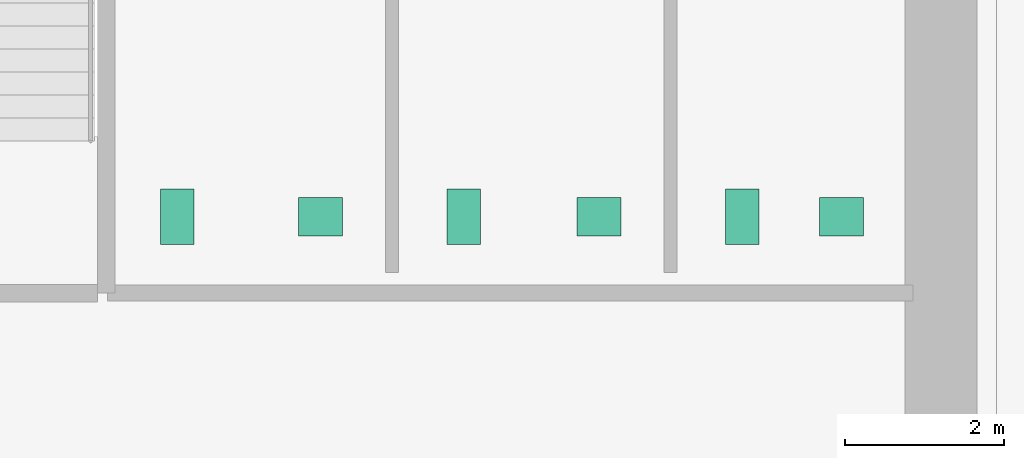
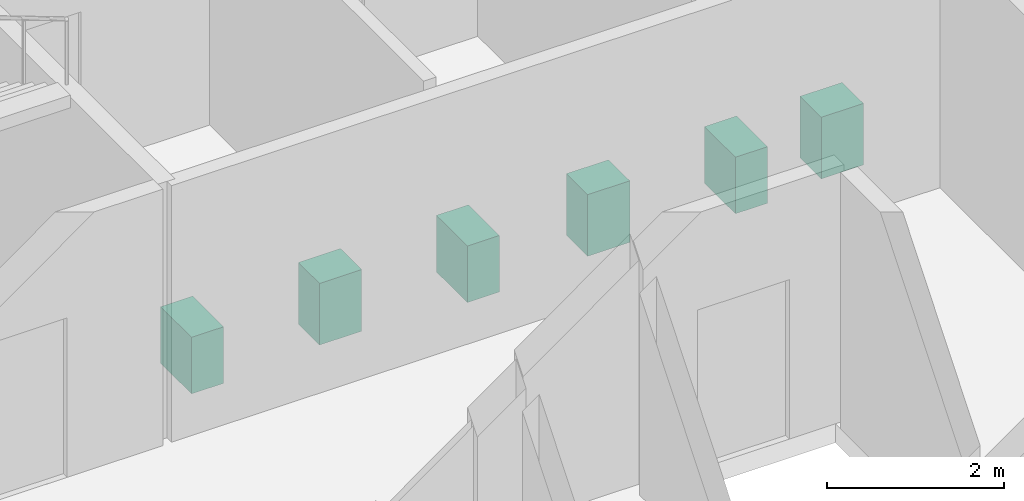
# One storey, part 14 of 14: 6 sanitary terminals.
"""IFC4 building model written with IfcOpenShell, lengths in metres."""

from ifc_helpers import new_model, si_unit, direction, frame, origin, origin_2d, place, context, subcontext, project, spatial, rectangle, extrude, material, type_object, element, save


model = new_model("IFC4")

# Units and contexts
model_context = context("Model", 3, precision=1e-05, world=origin(), true_north=direction((0.0, 1.0)))
body_context = subcontext(model_context, "Body", "Model", "MODEL_VIEW")
ifc_project = project(units=[si_unit("LENGTHUNIT", "METRE"), si_unit("AREAUNIT", "SQUARE_METRE"), si_unit("VOLUMEUNIT", "CUBIC_METRE"), si_unit("PLANEANGLEUNIT", "RADIAN"), si_unit("MASSUNIT", "GRAM", prefix="KILO")], contexts=[model_context])

# Site, building, storey
site_placement = place(None, origin())
site = spatial("IfcSite", under=ifc_project, at=site_placement, CompositionType="ELEMENT")
building_placement = place(site_placement, origin())
building = spatial("IfcBuilding", under=site, at=building_placement, Name="Norrvale University Quadrangle", CompositionType="ELEMENT")
storey_placement = place(building_placement, frame((0.0, 0.0, 28.0)))
storey = spatial("IfcBuildingStorey", under=building, at=storey_placement, Name="L06", CompositionType="ELEMENT", Elevation=28.0)

# Sanitary terminals
ifc_material = material(Name="Vitreous China Sanitaryware")
sanitary_terminal_type_1 = type_object("IfcSanitaryTerminalType", Name="Sanitary Wash Basin", PredefinedType="WASHHANDBASIN", material=ifc_material)
for number, where, z_axis, x_axis, name in (
    (1, (9.0, 41.10009765625, 0.0), (0.0, 0.0, 1.0), (1.0, 0.0, 0.0), "Accessible Countertop Washbasin L06-1"),
    (2, (12.5, 41.10009765625, 0.0), (0.0, 0.0, 1.0), (1.0, 0.0, 0.0), "Accessible Countertop Washbasin L06-2"),
    (3, (15.550048828125, 41.10009765625, 0.0), (0.0, 0.0, 1.0), (1.0, 0.0, 0.0), "Accessible Countertop Washbasin L06-3"),
):
    element("IfcSanitaryTerminal", number, at=place(storey_placement, frame(where, z_axis=z_axis, x_axis=x_axis)), inside=storey, type_object=sanitary_terminal_type_1, Name=name, PredefinedType="WASHHANDBASIN", context=body_context, shape_type="SweptSolid", body=[
        extrude(rectangle(XDim=0.550048828125, YDim=0.47998046875, at=origin_2d()), origin(), (0.0, 0.0, 1.0), 0.85009765625),
    ])
sanitary_terminal_type_2 = type_object("IfcSanitaryTerminalType", Name="Sanitary Water Closet", PredefinedType="TOILETPAN", material=ifc_material)
for number, where, z_axis, x_axis, name in (
    (4, (7.199951171875, 41.10009765625, 0.0), (0.0, 0.0, 1.0), (1.0, 0.0, 0.0), "Wall-Hung Water Closet L06-1"),
    (5, (10.800048828125, 41.10009765625, 0.0), (0.0, 0.0, 1.0), (1.0, 0.0, 0.0), "Wall-Hung Water Closet L06-2"),
    (6, (14.300048828125, 41.10009765625, 0.0), (0.0, 0.0, 1.0), (1.0, 0.0, 0.0), "Wall-Hung Water Closet L06-3"),
):
    element("IfcSanitaryTerminal", number, at=place(storey_placement, frame(where, z_axis=z_axis, x_axis=x_axis)), inside=storey, type_object=sanitary_terminal_type_2, Name=name, PredefinedType="TOILETPAN", context=body_context, shape_type="SweptSolid", body=[
        extrude(rectangle(XDim=0.419921875, YDim=0.699951171875, at=origin_2d()), origin(), (0.0, 0.0, 1.0), 0.780029296875),
    ])

save(model, "model.ifc")
